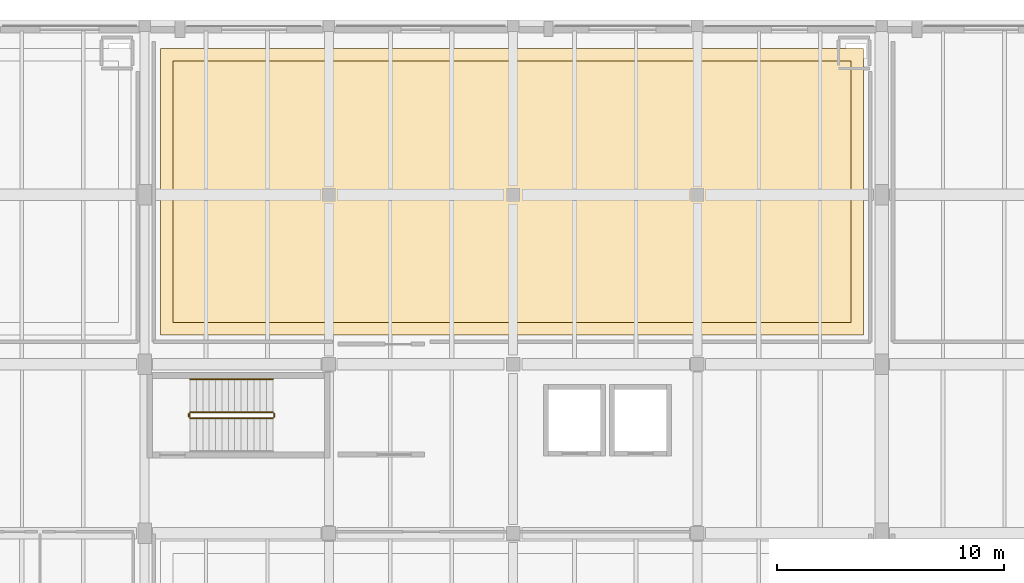
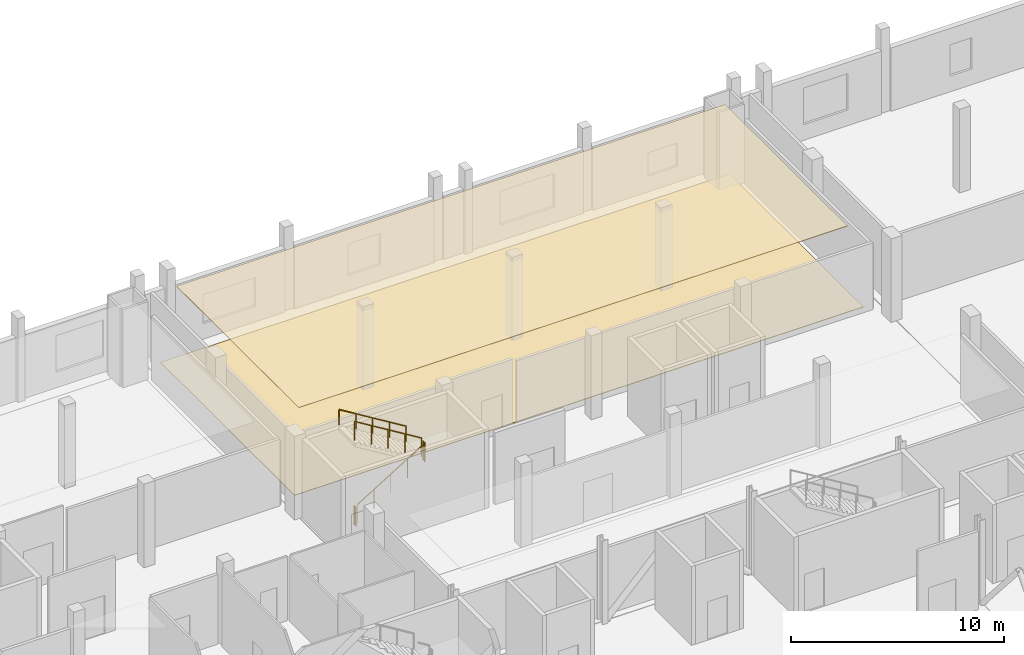
# One storey, part 102 of 104: 5 railings, 2 coverings.
"""IFC4 building model written with IfcOpenShell, lengths in metres."""

from ifc_helpers import new_model, si_unit, direction, frame, origin, origin_2d, place, context, subcontext, project, spatial, polyline, circle, outline, extrude, material, layer, layer_set, type_object, element, save


model = new_model("IFC4")

# Units and contexts
model_context = context("Model", 3, precision=1e-05, world=origin(), true_north=direction((0.0, 1.0)))
body_context = subcontext(model_context, "Body", "Model", "MODEL_VIEW")
ifc_project = project(units=[si_unit("LENGTHUNIT", "METRE"), si_unit("AREAUNIT", "SQUARE_METRE"), si_unit("VOLUMEUNIT", "CUBIC_METRE"), si_unit("PLANEANGLEUNIT", "RADIAN"), si_unit("MASSUNIT", "GRAM", prefix="KILO")], contexts=[model_context])

# Site, building, storey
site_placement = place(None, origin())
site = spatial("IfcSite", under=ifc_project, at=site_placement, CompositionType="ELEMENT")
building_placement = place(site_placement, origin())
building = spatial("IfcBuilding", under=site, at=building_placement, Name="Kaelora Sail Theatre", CompositionType="ELEMENT")
storey_placement = place(building_placement, frame((0.0, 0.0, 5.39990234375)))
storey = spatial("IfcBuildingStorey", under=building, at=storey_placement, Name="L01", CompositionType="ELEMENT", Elevation=5.39990234375)

# Coverings
ifc_material_1 = material(Name="Suspended acoustic mineral-fibre ceiling", Category="gypsum")
ifc_layer_1 = layer(ifc_material_1, 0.034912109375)
ifc_layer_set_1 = layer_set([ifc_layer_1], Name="Suspended acoustic mineral-fibre ceiling")
covering_type_1 = type_object("IfcCoveringType", Name="ARC-COV-CLG-GYP-35", PredefinedType="CEILING", material=ifc_layer_set_1)
covering_1_placement = place(storey_placement, frame((0.0, 0.0, 4.505126953125)))
element("IfcCovering", 1, at=covering_1_placement, inside=storey, type_object=covering_type_1, Name="Acoustic ceiling L01-CHORUS-M", PredefinedType="CEILING", context=body_context, shape_type="SweptSolid", body=[
    extrude(outline(polyline([(35.14990234375, 100.050048828125), (64.949951171875, 100.050048828125), (64.949951171875, 111.550048828125), (35.14990234375, 111.550048828125), (35.14990234375, 100.050048828125)])), origin(), (0.0, 0.0, 1.0), 0.034912109375),
])
ifc_material_2 = material(Name="Sprung West African iroko stage and dance floor", Category="timber")
ifc_layer_2 = layer(ifc_material_2, 0.028076171875)
ifc_layer_set_2 = layer_set([ifc_layer_2], Name="Sprung West African iroko stage and dance floor")
covering_type_2 = type_object("IfcCoveringType", Name="ARC-COV-FLR-OAK-28", PredefinedType="FLOORING", material=ifc_layer_set_2)
covering_2_placement = place(storey_placement, origin())
element("IfcCovering", 2, at=covering_2_placement, inside=storey, type_object=covering_type_2, Name="Architectural flooring L01-CHORUS-M", PredefinedType="FLOORING", context=body_context, shape_type="SweptSolid", body=[
    extrude(outline(polyline([(34.60009765625, 99.5), (65.5, 99.5), (65.5, 112.10009765625), (34.60009765625, 112.10009765625), (34.60009765625, 99.5)])), origin(), (0.0, 0.0, 1.0), 0.028076171875),
])

# Railings
ifc_material_3 = material(Name="Painted steel and laminated safety glass guard", Category="steel")
railing_type_1 = type_object("IfcRailingType", Name="ARC-RL-GRD", PredefinedType="GUARDRAIL", material=ifc_material_3)
railing_1_placement = place(storey_placement, frame((35.89990234375, 95.85009765625, 0.171630859375)))
element("IfcRailing", 3, at=railing_1_placement, inside=storey, type_object=railing_type_1, Name="L01 ST-K2 stair guard 1", PredefinedType="GUARDRAIL", context=body_context, shape_type="SweptSolid", body=[
    extrude(circle(Radius=0.02392578125, at=origin_2d()), frame((0.0, 0.0, 1.076171875), z_axis=(0.852865859571, 0.0, 0.52213008492), x_axis=(0.0, 1.0, 0.0)), (0.0, 0.0, 1.0), 4.26806640625),
    extrude(circle(Radius=0.02099609375, at=origin_2d()), origin(), (0.0, 0.0, 1.0), 1.052001953125),
    extrude(circle(Radius=0.02099609375, at=origin_2d()), frame((0.91015625, 0.0, 0.55712890625)), (0.0, 0.0, 1.0), 1.052001953125),
    extrude(circle(Radius=0.02099609375, at=origin_2d()), frame((1.820068359375, 0.0, 1.1142578125)), (0.0, 0.0, 1.0), 1.052001953125),
    extrude(circle(Radius=0.02099609375, at=origin_2d()), frame((2.72998046875, 0.0, 1.67138671875)), (0.0, 0.0, 1.0), 1.052001953125),
    extrude(circle(Radius=0.02099609375, at=origin_2d()), frame((3.64013671875, 0.0, 2.228515625)), (0.0, 0.0, 1.0), 1.052001953125),
])
railing_2_placement = place(storey_placement, frame((39.590087890625, 95.89990234375, 2.400146484375)))
element("IfcRailing", 4, at=railing_2_placement, inside=storey, type_object=railing_type_1, Name="L01 ST-K2 stair guard 2", PredefinedType="GUARDRAIL", context=body_context, shape_type="SweptSolid", body=[
    extrude(circle(Radius=0.02392578125, at=origin_2d()), frame((0.0, 0.0, 1.076171875), z_axis=(0.0, 1.0, 0.0), x_axis=(-1.0, 0.0, 0.0)), (0.0, 0.0, 1.0), 0.150146484375),
    extrude(circle(Radius=0.02099609375, at=origin_2d()), origin(), (0.0, 0.0, 1.0), 1.052001953125),
    extrude(circle(Radius=0.02099609375, at=origin_2d()), frame((0.0, 0.150146484375, 0.0)), (0.0, 0.0, 1.0), 1.052001953125),
])
railing_3_placement = place(storey_placement, frame((39.5400390625, 96.10009765625, 2.571533203125)))
element("IfcRailing", 5, at=railing_3_placement, inside=storey, type_object=railing_type_1, Name="L01 ST-K2 stair guard 3", PredefinedType="GUARDRAIL", context=body_context, shape_type="SweptSolid", body=[
    extrude(circle(Radius=0.02392578125, at=origin_2d()), frame((0.0, 0.0, 1.076171875), z_axis=(-0.852865859571, 0.0, 0.52213008492), x_axis=(0.0, -1.0, 0.0)), (0.0, 0.0, 1.0), 4.26806640625),
    extrude(circle(Radius=0.02099609375, at=origin_2d()), origin(), (0.0, 0.0, 1.0), 1.052001953125),
    extrude(circle(Radius=0.02099609375, at=origin_2d()), frame((-0.91015625, 0.0, 0.55712890625)), (0.0, 0.0, 1.0), 1.052001953125),
    extrude(circle(Radius=0.02099609375, at=origin_2d()), frame((-1.820068359375, 0.0, 1.1142578125)), (0.0, 0.0, 1.0), 1.052001953125),
    extrude(circle(Radius=0.02099609375, at=origin_2d()), frame((-2.72998046875, 0.0, 1.67138671875)), (0.0, 0.0, 1.0), 1.052001953125),
    extrude(circle(Radius=0.02099609375, at=origin_2d()), frame((-3.64013671875, 0.0, 2.228515625)), (0.0, 0.0, 1.0), 1.052001953125),
])
railing_4_placement = place(storey_placement, frame((35.85009765625, 95.89990234375, 0.0)))
element("IfcRailing", 6, at=railing_4_placement, inside=storey, type_object=railing_type_1, Name="L01 ST-K2 stair guard 4", PredefinedType="GUARDRAIL", context=body_context, shape_type="SweptSolid", body=[
    extrude(circle(Radius=0.02392578125, at=origin_2d()), frame((0.0, 0.0, 1.076171875), z_axis=(0.0, 1.0, 0.0), x_axis=(-1.0, 0.0, 0.0)), (0.0, 0.0, 1.0), 0.150146484375),
    extrude(circle(Radius=0.02099609375, at=origin_2d()), origin(), (0.0, 0.0, 1.0), 1.052001953125),
    extrude(circle(Radius=0.02099609375, at=origin_2d()), frame((0.0, 0.150146484375, 0.0)), (0.0, 0.0, 1.0), 1.052001953125),
])
ifc_material_4 = material(Name="Brushed stainless steel 316L tubular handrail", Category="steel")
railing_type_2 = type_object("IfcRailingType", Name="ARC-RL-HND", PredefinedType="HANDRAIL", material=ifc_material_4)
railing_5_placement = place(storey_placement, frame((39.5400390625, 97.550048828125, 2.571533203125)))
element("IfcRailing", 7, at=railing_5_placement, inside=storey, type_object=railing_type_2, Name="L01 ST-K2 stair handrail 2", PredefinedType="HANDRAIL", context=body_context, shape_type="SweptSolid", body=[
    extrude(circle(Radius=0.02392578125, at=origin_2d()), frame((0.0, 0.0, 0.8759765625), z_axis=(-0.852865859571, 0.0, 0.52213008492), x_axis=(0.0, -1.0, 0.0)), (0.0, 0.0, 1.0), 4.26806640625),
    extrude(circle(Radius=0.02099609375, at=origin_2d()), origin(), (0.0, 0.0, 1.0), 0.851806640625),
    extrude(circle(Radius=0.02099609375, at=origin_2d()), frame((-0.91015625, 0.0, 0.55712890625)), (0.0, 0.0, 1.0), 0.851806640625),
    extrude(circle(Radius=0.02099609375, at=origin_2d()), frame((-1.820068359375, 0.0, 1.1142578125)), (0.0, 0.0, 1.0), 0.851806640625),
    extrude(circle(Radius=0.02099609375, at=origin_2d()), frame((-2.72998046875, 0.0, 1.67138671875)), (0.0, 0.0, 1.0), 0.851806640625),
    extrude(circle(Radius=0.02099609375, at=origin_2d()), frame((-3.64013671875, 0.0, 2.228515625)), (0.0, 0.0, 1.0), 0.851806640625),
])

save(model, "model.ifc")
